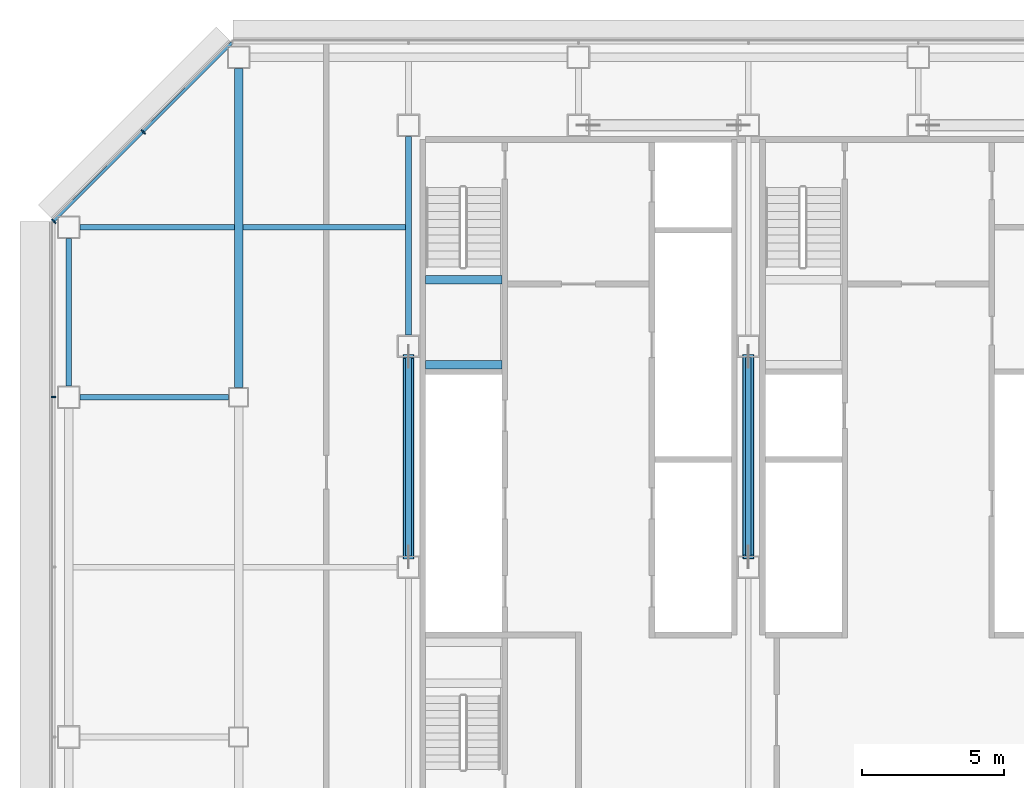
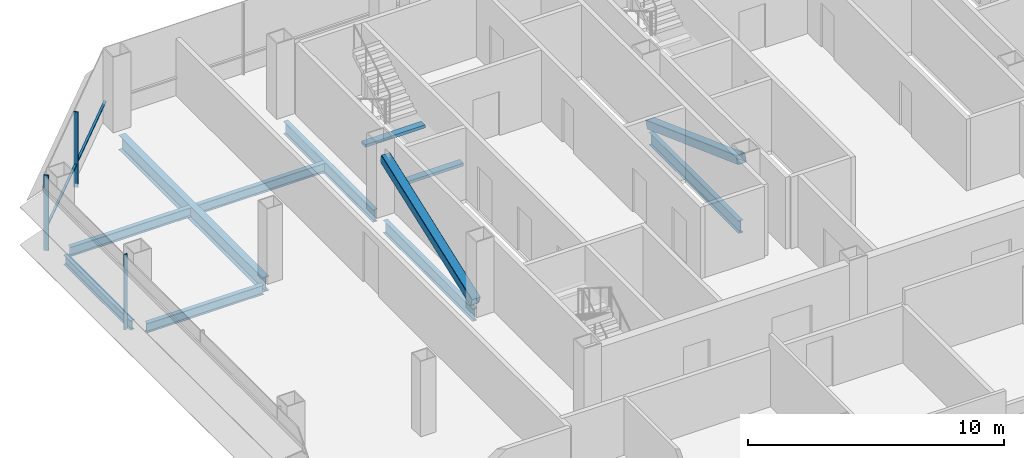
# One storey, part 11 of 25: 10 beams, 6 members, 2 elements without a shape of their own.
"""IFC4 building model written with IfcOpenShell, lengths in metres."""

from ifc_helpers import new_model, si_unit, direction, frame, origin, origin_2d, place, context, subcontext, project, spatial, rectangle, hollow_rectangle, i_section, extrude, material, material_profile, profile_set, type_object, element, aggregate, save


model = new_model("IFC4")

# Units and contexts
model_context = context("Model", 3, precision=1e-05, world=origin(), true_north=direction((0.0, 1.0)))
body_context = subcontext(model_context, "Body", "Model", "MODEL_VIEW")
ifc_project = project(units=[si_unit("LENGTHUNIT", "METRE"), si_unit("AREAUNIT", "SQUARE_METRE"), si_unit("VOLUMEUNIT", "CUBIC_METRE"), si_unit("PLANEANGLEUNIT", "RADIAN"), si_unit("MASSUNIT", "GRAM", prefix="KILO")], contexts=[model_context])

# Site, building, storey
site_placement = place(None, origin())
site = spatial("IfcSite", under=ifc_project, at=site_placement, CompositionType="ELEMENT")
building_placement = place(site_placement, origin())
building = spatial("IfcBuilding", under=site, at=building_placement, Name="Sorahane Residences", CompositionType="ELEMENT")
storey_placement = place(building_placement, frame((0.0, 0.0, 126.800048828125)))
storey = spatial("IfcBuildingStorey", under=building, at=storey_placement, Name="L28", CompositionType="ELEMENT", Elevation=126.800048828125)

# Members
ifc_material_1 = material(Name="Steel Q355B", Category="steel")
ifc_material_profile_1 = material_profile(ifc_material_1, hollow_rectangle(XDim=0.39990234375, YDim=0.39990234375, WallThickness=0.02001953125, InnerFilletRadius=0.010009765625, OuterFilletRadius=0.030029296875, at=origin_2d()), Name="RHS 400x400x20")
ifc_profile_set_1 = profile_set([ifc_material_profile_1], Name="Steel Q355B")
member_type_1 = type_object("IfcMemberType", Name="Core brace RHS 400x400x20 Q355B", PredefinedType="BRACE", material=ifc_profile_set_1)
for number, where, z_axis, x_axis, name in (
    (1, (6.0, 30.358642578125, 0.184814453125), (0.0, 0.938733651637, 0.344643484319), (-1.0, 0.0, 0.0), "Core brace L28 x6-2"),
    (2, (18.0, 37.44140625, 0.184814453125), (0.0, -0.938733651637, 0.344643484319), (1.0, 0.0, 0.0), "Core brace L28 x18-1"),
):
    element("IfcMember", number, at=place(storey_placement, frame(where, z_axis=z_axis, x_axis=x_axis)), inside=storey, type_object=member_type_1, Name=name, PredefinedType="BRACE", context=body_context, shape_type="SweptSolid", body=[
        extrude(hollow_rectangle(XDim=0.39990234375, YDim=0.39990234375, WallThickness=0.02001953125, InnerFilletRadius=0.010009765625, OuterFilletRadius=0.030029296875, at=origin_2d()), origin(), (0.0, 0.0, 1.0), 7.544921875),
    ])

# Curtain wall, member
ifc_material_2 = material(Name="Dark low-e glass and black anodised aluminium", Category="aluminium")
curtain_wall_type_1 = type_object("IfcCurtainWallType", Name="Curtain wall CW-1 Typical unitised wall", PredefinedType="NOTDEFINED", material=ifc_material_2)
curtain_wall_1_placement = place(storey_placement, origin())
curtain_wall_1 = element("IfcCurtainWall", 3, at=curtain_wall_1_placement, inside=storey, type_object=curtain_wall_type_1, Name="CW-1 curtain wall L28 W1", PredefinedType="NOTDEFINED")
ifc_material_3 = material(Name="Black anodised aluminium", Category="aluminium")
ifc_material_profile_2 = material_profile(ifc_material_3, rectangle(XDim=0.159912109375, YDim=0.050048828125, at=origin_2d()), Name="Curtain wall mullion CW-1 black anodised aluminium 50x160")
ifc_profile_set_2 = profile_set([ifc_material_profile_2], Name="Black anodised aluminium")
member_type_2 = type_object("IfcMemberType", Name="Curtain wall mullion CW-1 black anodised aluminium 50x160", PredefinedType="MULLION", material=ifc_profile_set_2)
member_1_placement = place(storey_placement, frame((-6.5400390625, 36.0, -0.179931640625), z_axis=(0.0, 0.0, 1.0), x_axis=(-1.0, 0.0, 0.0)))
member_1 = element("IfcMember", 4, at=member_1_placement, type_object=member_type_2, Name="CW-1 mullion L28 W1.2", PredefinedType="MULLION", context=body_context, shape_type="SweptSolid", body=[
    extrude(rectangle(XDim=0.159912109375, YDim=0.050048828125, at=origin_2d()), origin(), (0.0, 0.0, 1.0), 3.599853515625),
])
aggregate(curtain_wall_1, [member_1])

# Curtain wall, members
ifc_material_4 = material(Name="Dark low-e glass and black anodised aluminium", Category="aluminium")
curtain_wall_type_2 = type_object("IfcCurtainWallType", Name="Curtain wall CW-2 Chamfer unitised wall", PredefinedType="NOTDEFINED", material=ifc_material_4)
curtain_wall_2_placement = place(storey_placement, origin())
curtain_wall_2 = element("IfcCurtainWall", 5, at=curtain_wall_2_placement, inside=storey, type_object=curtain_wall_type_2, Name="CW-2 curtain wall L28 NW1", PredefinedType="NOTDEFINED")
ifc_material_5 = material(Name="Black anodised aluminium", Category="aluminium")
ifc_material_profile_3 = material_profile(ifc_material_5, rectangle(XDim=0.199951171875, YDim=0.050048828125, at=origin_2d()), Name="Curtain wall mullion CW-2 black anodised aluminium 50x200")
ifc_profile_set_3 = profile_set([ifc_material_profile_3], Name="Black anodised aluminium")
member_type_3 = type_object("IfcMemberType", Name="Curtain wall mullion CW-2 black anodised aluminium 50x200", PredefinedType="MULLION", material=ifc_profile_set_3)
member_2_placement = place(storey_placement, frame((-3.36767578125, 45.36767578125, -0.179931640625), z_axis=(0.0, 0.0, 1.0), x_axis=(-0.707106781187, 0.707106781187, 0.0)))
member_2 = element("IfcMember", 6, at=member_2_placement, type_object=member_type_3, Name="CW-2 mullion L28 NW1.2", PredefinedType="MULLION", context=body_context, shape_type="SweptSolid", body=[
    extrude(rectangle(XDim=0.199951171875, YDim=0.050048828125, at=origin_2d()), origin(), (0.0, 0.0, 1.0), 3.599853515625),
])
member_3_placement = place(storey_placement, frame((-6.525634765625, 42.209716796875, -0.179931640625), z_axis=(0.0, 0.0, 1.0), x_axis=(-0.707106781187, 0.707106781187, 0.0)))
member_3 = element("IfcMember", 7, at=member_3_placement, type_object=member_type_3, Name="CW-2 mullion L28 NW1.3", PredefinedType="MULLION", context=body_context, shape_type="SweptSolid", body=[
    extrude(rectangle(XDim=0.199951171875, YDim=0.050048828125, at=origin_2d()), origin(), (0.0, 0.0, 1.0), 3.599853515625),
])
ifc_material_6 = material(Name="Black anodised aluminium", Category="aluminium")
ifc_material_profile_4 = material_profile(ifc_material_6, rectangle(XDim=0.10009765625, YDim=0.06005859375, at=origin_2d()), Name="Curtain wall transom CW-2 black anodised aluminium 60x100")
ifc_profile_set_4 = profile_set([ifc_material_profile_4], Name="Black anodised aluminium")
member_type_4 = type_object("IfcMemberType", Name="Curtain wall transom CW-2 black anodised aluminium 60x100", PredefinedType="USERDEFINED", material=ifc_profile_set_4)
member_4_placement = place(storey_placement, frame((-0.234375, 48.51513671875, 0.89990234375), z_axis=(-0.707106781187, -0.707106781187, 0.0), x_axis=(0.707106781187, -0.707106781187, 0.0)))
member_4 = element("IfcMember", 8, at=member_4_placement, type_object=member_type_4, Name="CW-2 transom L28 NW1", ObjectType="TRANSOM", PredefinedType="USERDEFINED", context=body_context, shape_type="SweptSolid", body=[
    extrude(rectangle(XDim=0.10009765625, YDim=0.06005859375, at=origin_2d()), origin(), (0.0, 0.0, 1.0), 8.88232421875),
])
aggregate(curtain_wall_2, [member_2, member_3, member_4])

# Beams
ifc_material_7 = material(Name="Concrete C40", Category="concrete")
ifc_material_profile_5 = material_profile(ifc_material_7, rectangle(XDim=0.300048828125, YDim=0.139892578125, at=origin_2d()), Name="300x140")
ifc_profile_set_5 = profile_set([ifc_material_profile_5], Name="Concrete C40")
beam_type_1 = type_object("IfcBeamType", Name="RC landing beam 300 x 140 Concrete C40", PredefinedType="BEAM", material=ifc_profile_set_5)
for number, where, z_axis, x_axis, name in (
    (9, (6.60009765625, 37.14990234375, 1.530029296875), (1.0, 0.0, 0.0), (0.0, 1.0, 0.0), "Landing beam"),
    (10, (6.60009765625, 40.14990234375, 1.530029296875), (1.0, 0.0, 0.0), (0.0, 1.0, 0.0), "Landing beam"),
):
    element("IfcBeam", number, at=place(storey_placement, frame(where, z_axis=z_axis, x_axis=x_axis)), inside=storey, type_object=beam_type_1, Name=name, PredefinedType="BEAM", context=body_context, shape_type="SweptSolid", body=[
        extrude(rectangle(XDim=0.300048828125, YDim=0.139892578125, at=origin_2d()), origin(), (0.0, 0.0, 1.0), 2.699951171875),
    ])
ifc_material_8 = material(Name="Steel Q355B", Category="steel")
ifc_material_profile_6 = material_profile(ifc_material_8, i_section(OverallWidth=0.199951171875, OverallDepth=0.449951171875, WebThickness=0.009033203125, FlangeThickness=0.013916015625, FilletRadius=0.02001953125, at=origin_2d()), Name="HN 450x200x9x14")
ifc_profile_set_6 = profile_set([ifc_material_profile_6], Name="Steel Q355B")
beam_type_2 = type_object("IfcBeamType", Name="Steel floor beam HN 450x200x9x14 Q355B", PredefinedType="BEAM", material=ifc_profile_set_6)
beam_1_placement = place(storey_placement, frame((-5.60009765625, 36.0, -0.405029296875), z_axis=(1.0, 0.0, 0.0), x_axis=(0.0, 1.0, 0.0)))
element("IfcBeam", 11, at=beam_1_placement, inside=storey, type_object=beam_type_2, Name="Beam L28 013", PredefinedType="BEAM", context=body_context, shape_type="SweptSolid", body=[
    extrude(i_section(OverallWidth=0.199951171875, OverallDepth=0.449951171875, WebThickness=0.009033203125, FlangeThickness=0.013916015625, FilletRadius=0.02001953125, at=origin_2d()), origin(), (0.0, 0.0, 1.0), 5.25),
])
beam_2_placement = place(storey_placement, frame((-6.0, 36.39990234375, -0.405029296875), z_axis=(0.0, 1.0, 0.0), x_axis=(-1.0, 0.0, 0.0)))
element("IfcBeam", 12, at=beam_2_placement, inside=storey, type_object=beam_type_2, Name="Beam L28 023", PredefinedType="BEAM", context=body_context, shape_type="SweptSolid", body=[
    extrude(i_section(OverallWidth=0.199951171875, OverallDepth=0.449951171875, WebThickness=0.009033203125, FlangeThickness=0.013916015625, FilletRadius=0.02001953125, at=origin_2d()), origin(), (0.0, 0.0, 1.0), 5.2001953125),
])
beam_3_placement = place(storey_placement, frame((-5.60009765625, 42.0, -0.405029296875), z_axis=(1.0, 0.0, 0.0), x_axis=(0.0, 1.0, 0.0)))
element("IfcBeam", 13, at=beam_3_placement, inside=storey, type_object=beam_type_2, Name="Beam L28 089", PredefinedType="BEAM", context=body_context, shape_type="SweptSolid", body=[
    extrude(i_section(OverallWidth=0.199951171875, OverallDepth=0.449951171875, WebThickness=0.009033203125, FlangeThickness=0.013916015625, FilletRadius=0.02001953125, at=origin_2d()), origin(), (0.0, 0.0, 1.0), 5.4501953125),
])
beam_4_placement = place(storey_placement, frame((0.14990234375, 42.0, -0.405029296875), z_axis=(1.0, 0.0, 0.0), x_axis=(0.0, 1.0, 0.0)))
element("IfcBeam", 14, at=beam_4_placement, inside=storey, type_object=beam_type_2, Name="Beam L28 090", PredefinedType="BEAM", context=body_context, shape_type="SweptSolid", body=[
    extrude(i_section(OverallWidth=0.199951171875, OverallDepth=0.449951171875, WebThickness=0.009033203125, FlangeThickness=0.013916015625, FilletRadius=0.02001953125, at=origin_2d()), origin(), (0.0, 0.0, 1.0), 5.75),
])
ifc_material_9 = material(Name="Steel Q355B", Category="steel")
ifc_material_profile_7 = material_profile(ifc_material_9, i_section(OverallWidth=0.199951171875, OverallDepth=0.60009765625, WebThickness=0.010986328125, FlangeThickness=0.01708984375, FilletRadius=0.02392578125, at=origin_2d()), Name="HN 600x200x11x17")
ifc_profile_set_7 = profile_set([ifc_material_profile_7], Name="Steel Q355B")
beam_type_3 = type_object("IfcBeamType", Name="Steel floor beam HN 600x200x11x17 Q355B", PredefinedType="BEAM", material=ifc_profile_set_7)
for number, where, z_axis, x_axis, name in (
    (15, (6.0, 30.39990234375, -0.47998046875), (0.0, 1.0, 0.0), (-1.0, 0.0, 0.0), "Beam L28 031"),
    (16, (6.0, 38.199951171875, -0.47998046875), (0.0, 1.0, 0.0), (-1.0, 0.0, 0.0), "Beam L28 032"),
    (17, (18.0, 30.39990234375, -0.47998046875), (0.0, 1.0, 0.0), (-1.0, 0.0, 0.0), "Beam L28 039"),
):
    element("IfcBeam", number, at=place(storey_placement, frame(where, z_axis=z_axis, x_axis=x_axis)), inside=storey, type_object=beam_type_3, Name=name, PredefinedType="BEAM", context=body_context, shape_type="SweptSolid", body=[
        extrude(i_section(OverallWidth=0.199951171875, OverallDepth=0.60009765625, WebThickness=0.010986328125, FlangeThickness=0.01708984375, FilletRadius=0.02392578125, at=origin_2d()), origin(), (0.0, 0.0, 1.0), 7.0),
    ])
ifc_material_10 = material(Name="Steel Q355B", Category="steel")
ifc_material_profile_8 = material_profile(ifc_material_10, i_section(OverallWidth=0.300048828125, OverallDepth=0.699951171875, WebThickness=0.012939453125, FlangeThickness=0.02392578125, FilletRadius=0.028076171875, at=origin_2d()), Name="HN 700x300x13x24")
ifc_profile_set_8 = profile_set([ifc_material_profile_8], Name="Steel Q355B")
beam_type_4 = type_object("IfcBeamType", Name="Steel floor beam HN 700x300x13x24 Q355B", PredefinedType="BEAM", material=ifc_profile_set_8)
beam_5_placement = place(storey_placement, frame((0.0, 36.35009765625, -0.530029296875), z_axis=(0.0, 1.0, 0.0), x_axis=(-1.0, 0.0, 0.0)))
element("IfcBeam", 18, at=beam_5_placement, inside=storey, type_object=beam_type_4, Name="Beam L28 027", PredefinedType="BEAM", context=body_context, shape_type="SweptSolid", body=[
    extrude(i_section(OverallWidth=0.300048828125, OverallDepth=0.699951171875, WebThickness=0.012939453125, FlangeThickness=0.02392578125, FilletRadius=0.028076171875, at=origin_2d()), origin(), (0.0, 0.0, 1.0), 11.25),
])

save(model, "model.ifc")
